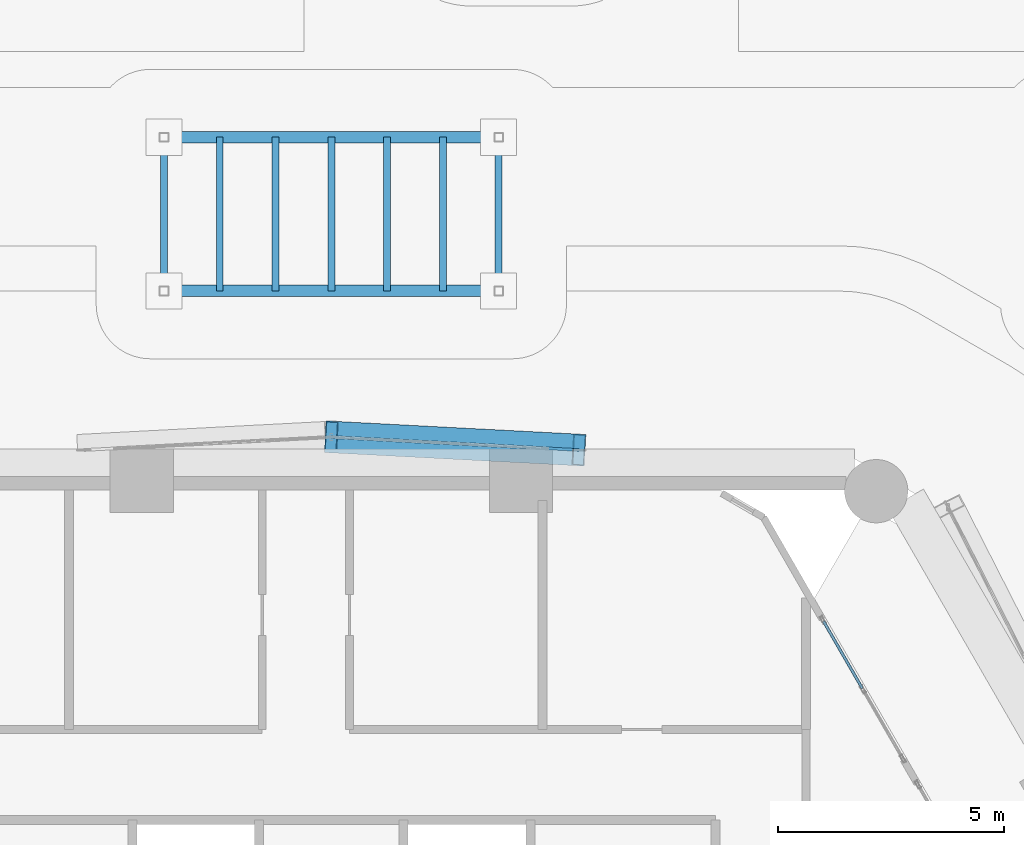
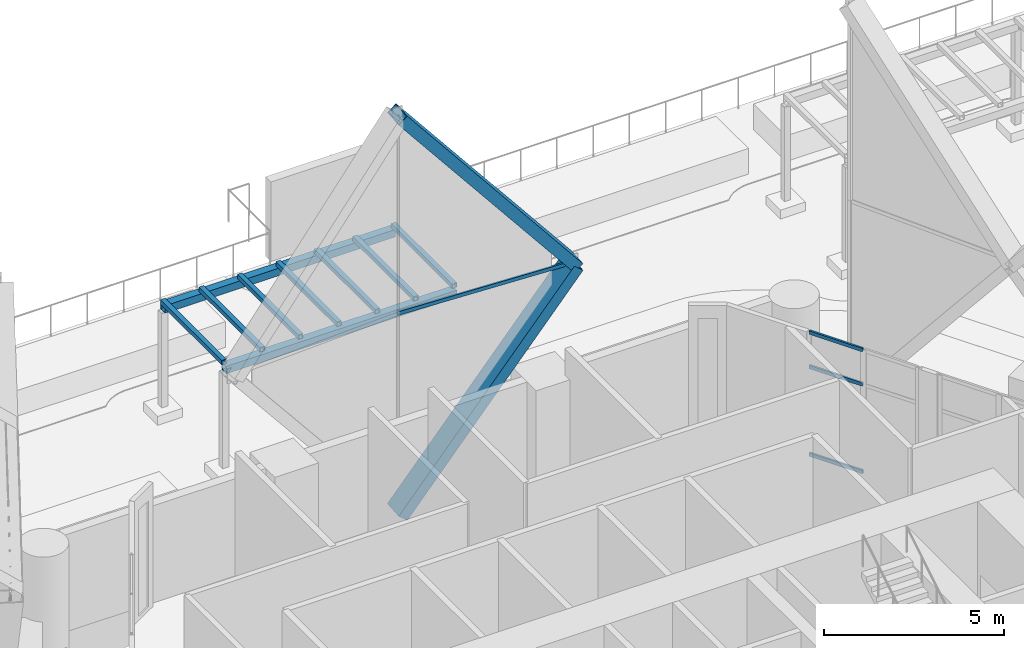
# One storey, part 45 of 71: 13 members, 2 beams, 2 elements without a shape of their own.
"""IFC4 building model written with IfcOpenShell, lengths in metres."""

from ifc_helpers import new_model, si_unit, direction, frame, origin, origin_2d, place, context, subcontext, project, spatial, hollow_rectangle, extrude, material, material_profile, profile_set, type_object, element, aggregate, save


model = new_model("IFC4")

# Units and contexts
model_context = context("Model", 3, precision=1e-05, world=origin(), true_north=direction((0.0, 1.0)))
body_context = subcontext(model_context, "Body", "Model", "MODEL_VIEW")
ifc_project = project(units=[si_unit("LENGTHUNIT", "METRE"), si_unit("AREAUNIT", "SQUARE_METRE"), si_unit("VOLUMEUNIT", "CUBIC_METRE"), si_unit("PLANEANGLEUNIT", "RADIAN"), si_unit("MASSUNIT", "GRAM", prefix="KILO")], contexts=[model_context])

# Site, building, storey
site_placement = place(None, origin())
site = spatial("IfcSite", under=ifc_project, at=site_placement, CompositionType="ELEMENT")
building_placement = place(site_placement, origin())
building = spatial("IfcBuilding", under=site, at=building_placement, Name="Ostrander Bayou Hotel Tower", CompositionType="ELEMENT")
storey_placement = place(building_placement, frame((0.0, 0.0, 10.0)))
storey = spatial("IfcBuildingStorey", under=building, at=storey_placement, Name="L02", CompositionType="ELEMENT", Elevation=10.0)

# Curtain wall, member
ifc_material_1 = material(Name="Aluminium and clear glass", Category="aluminium")
curtain_wall_type_1 = type_object("IfcCurtainWallType", Name="CW-LAT lattice glazing", PredefinedType="NOTDEFINED", material=ifc_material_1)
curtain_wall_1_placement = place(storey_placement, origin())
curtain_wall_1 = element("IfcCurtainWall", 1, at=curtain_wall_1_placement, inside=storey, type_object=curtain_wall_type_1, Name="CW-LAT L02 N 2", PredefinedType="NOTDEFINED")
ifc_material_2 = material(Name="Aluminium", Category="aluminium")
ifc_material_profile_1 = material_profile(ifc_material_2, hollow_rectangle(XDim=0.06005859375, YDim=0.1201171875, WallThickness=0.00390625, at=origin_2d()))
ifc_profile_set_1 = profile_set([ifc_material_profile_1], Name="Aluminium")
member_type_1 = type_object("IfcMemberType", Name="CW-LA transom 60 x 120 mm", PredefinedType="USERDEFINED", material=ifc_profile_set_1)
member_1_placement = place(storey_placement, frame((0.0, 22.070068359375, 6.14990234375), z_axis=(0.998630347454, -0.052320446705, 0.0), x_axis=(0.052320446705, 0.998630347454, 0.0)))
member_1 = element("IfcMember", 2, at=member_1_placement, type_object=member_type_1, Name="CW-LAT transom 3", ObjectType="TRANSOM", PredefinedType="USERDEFINED", context=body_context, shape_type="SweptSolid", body=[
    extrude(hollow_rectangle(XDim=0.06005859375, YDim=0.1201171875, WallThickness=0.00390625, at=origin_2d()), origin(), (0.0, 0.0, 1.0), 5.48291015625),
])
aggregate(curtain_wall_1, [member_1])

# Curtain wall, members
ifc_material_3 = material(Name="Aluminium and clear glass", Category="aluminium")
curtain_wall_type_2 = type_object("IfcCurtainWallType", Name="CW-SKY amenity glass wall", PredefinedType="NOTDEFINED", material=ifc_material_3)
curtain_wall_2_placement = place(storey_placement, origin())
curtain_wall_2 = element("IfcCurtainWall", 3, at=curtain_wall_2_placement, inside=storey, type_object=curtain_wall_type_2, Name="CW-SKY L02 NE 5", PredefinedType="NOTDEFINED")
ifc_material_4 = material(Name="Aluminium", Category="aluminium")
ifc_material_profile_2 = material_profile(ifc_material_4, hollow_rectangle(XDim=0.06005859375, YDim=0.1201171875, WallThickness=0.00390625, at=origin_2d()))
ifc_profile_set_2 = profile_set([ifc_material_profile_2], Name="Aluminium")
member_type_2 = type_object("IfcMemberType", Name="CW-SK transom 60 x 120 mm", PredefinedType="USERDEFINED", material=ifc_profile_set_2)
member_2_placement = place(storey_placement, frame((11.741455078125, 16.51318359375, 0.030029296875), z_axis=(-0.499977863513, 0.866038183914, 0.0), x_axis=(-0.866038183914, -0.499977863513, 0.0)))
member_2 = element("IfcMember", 4, at=member_2_placement, type_object=member_type_2, Name="CW-SKY transom 2.1", ObjectType="TRANSOM", PredefinedType="USERDEFINED", context=body_context, shape_type="SweptSolid", body=[
    extrude(hollow_rectangle(XDim=0.06005859375, YDim=0.1201171875, WallThickness=0.00390625, at=origin_2d()), origin(), (0.0, 0.0, 1.0), 1.7099609375),
])
member_3_placement = place(storey_placement, frame((11.741455078125, 16.51318359375, 3.0), z_axis=(-0.499977863513, 0.866038183914, 0.0), x_axis=(-0.866038183914, -0.499977863513, 0.0)))
member_3 = element("IfcMember", 5, at=member_3_placement, type_object=member_type_2, Name="CW-SKY transom 2.2", ObjectType="TRANSOM", PredefinedType="USERDEFINED", context=body_context, shape_type="SweptSolid", body=[
    extrude(hollow_rectangle(XDim=0.06005859375, YDim=0.1201171875, WallThickness=0.00390625, at=origin_2d()), origin(), (0.0, 0.0, 1.0), 1.7099609375),
])
member_4_placement = place(storey_placement, frame((11.741455078125, 16.51318359375, 4.169921875), z_axis=(-0.499977863513, 0.866038183914, 0.0), x_axis=(-0.866038183914, -0.499977863513, 0.0)))
member_4 = element("IfcMember", 6, at=member_4_placement, type_object=member_type_2, Name="CW-SKY transom 2.3", ObjectType="TRANSOM", PredefinedType="USERDEFINED", context=body_context, shape_type="SweptSolid", body=[
    extrude(hollow_rectangle(XDim=0.06005859375, YDim=0.1201171875, WallThickness=0.00390625, at=origin_2d()), origin(), (0.0, 0.0, 1.0), 1.7099609375),
])
aggregate(curtain_wall_2, [member_2, member_3, member_4])

# Members
ifc_material_5 = material(Name="Steel ASTM A572 Gr 50", Category="steel")
ifc_material_profile_3 = material_profile(ifc_material_5, hollow_rectangle(XDim=0.699951171875, YDim=0.35009765625, WallThickness=0.02490234375, at=origin_2d()))
ifc_profile_set_3 = profile_set([ifc_material_profile_3], Name="Steel ASTM A572 Gr 50")
member_type_3 = type_object("IfcMemberType", Name="LT1 lattice member box 700 x 350 x 25 mm", PredefinedType="BRACE", material=ifc_profile_set_3)
for number, where, z_axis, x_axis, name in (
    (7, (5.475341796875, 21.783203125, 6.14990234375), (-0.629623537067, 0.032987365945, -0.77619973928), (-0.052320446705, -0.998630347454, 0.0), "LT1 L02 N 1"),
    (8, (5.475341796875, 21.783203125, 6.14990234375), (-0.629623537067, 0.032987365945, 0.77619973928), (-0.052320446705, -0.998630347454, 0.0), "LT1 L02 N 2"),
):
    element("IfcMember", number, at=place(storey_placement, frame(where, z_axis=z_axis, x_axis=x_axis)), inside=storey, type_object=member_type_3, Name=name, PredefinedType="BRACE", context=body_context, shape_type="SweptSolid", body=[
        extrude(hollow_rectangle(XDim=0.699951171875, YDim=0.35009765625, WallThickness=0.02490234375, at=origin_2d()), origin(), (0.0, 0.0, 1.0), 8.6962890625),
    ])

# Beams
ifc_material_6 = material(Name="Steel ASTM A500 Gr C", Category="steel")
ifc_material_profile_4 = material_profile(ifc_material_6, hollow_rectangle(XDim=0.25390625, YDim=0.25390625, WallThickness=0.01171875, at=origin_2d()))
ifc_profile_set_4 = profile_set([ifc_material_profile_4], Name="Steel ASTM A500 Gr C")
beam_type = type_object("IfcBeamType", Name="PG2 pergola beam HSS10x10x1/2", PredefinedType="BEAM", material=ifc_profile_set_4)
for number, where, z_axis, x_axis, name in (
    (9, (-3.699951171875, 25.300048828125, 3.626953125), (1.0, 0.0, 0.0), (0.0, 1.0, 0.0), "PG2 pergola 2 beam 1"),
    (10, (-3.699951171875, 28.699951171875, 3.626953125), (1.0, 0.0, 0.0), (0.0, 1.0, 0.0), "PG2 pergola 2 beam 2"),
):
    element("IfcBeam", number, at=place(storey_placement, frame(where, z_axis=z_axis, x_axis=x_axis)), inside=storey, type_object=beam_type, Name=name, PredefinedType="BEAM", context=body_context, shape_type="SweptSolid", body=[
        extrude(hollow_rectangle(XDim=0.25390625, YDim=0.25390625, WallThickness=0.01171875, at=origin_2d()), origin(), (0.0, 0.0, 1.0), 7.39990234375),
    ])

# Members
ifc_material_7 = material(Name="Steel ASTM A500 Gr C", Category="steel")
ifc_material_profile_5 = material_profile(ifc_material_7, hollow_rectangle(XDim=0.15234375, YDim=0.15234375, WallThickness=0.0087890625, at=origin_2d()))
ifc_profile_set_5 = profile_set([ifc_material_profile_5], Name="Steel ASTM A500 Gr C")
member_type_4 = type_object("IfcMemberType", Name="PG3 pergola rafter HSS6x6x3/8", PredefinedType="RAFTER", material=ifc_profile_set_5)
for number, where, z_axis, x_axis, name in (
    (11, (-3.699951171875, 25.300048828125, 3.830078125), (0.0, 1.0, 0.0), (-1.0, 0.0, 0.0), "PG3 pergola 2 rafter 1"),
    (12, (-2.466796875, 25.300048828125, 3.830078125), (0.0, 1.0, 0.0), (-1.0, 0.0, 0.0), "PG3 pergola 2 rafter 2"),
    (13, (-1.2333984375, 25.300048828125, 3.830078125), (0.0, 1.0, 0.0), (-1.0, 0.0, 0.0), "PG3 pergola 2 rafter 3"),
    (14, (0.0, 25.300048828125, 3.830078125), (0.0, 1.0, 0.0), (-1.0, 0.0, 0.0), "PG3 pergola 2 rafter 4"),
    (15, (1.2333984375, 25.300048828125, 3.830078125), (0.0, 1.0, 0.0), (-1.0, 0.0, 0.0), "PG3 pergola 2 rafter 5"),
    (16, (2.466796875, 25.300048828125, 3.830078125), (0.0, 1.0, 0.0), (-1.0, 0.0, 0.0), "PG3 pergola 2 rafter 6"),
    (17, (3.699951171875, 25.300048828125, 3.830078125), (0.0, 1.0, 0.0), (-1.0, 0.0, 0.0), "PG3 pergola 2 rafter 7"),
):
    element("IfcMember", number, at=place(storey_placement, frame(where, z_axis=z_axis, x_axis=x_axis)), inside=storey, type_object=member_type_4, Name=name, PredefinedType="RAFTER", context=body_context, shape_type="SweptSolid", body=[
        extrude(hollow_rectangle(XDim=0.15234375, YDim=0.15234375, WallThickness=0.0087890625, at=origin_2d()), origin(), (0.0, 0.0, 1.0), 3.39990234375),
    ])

save(model, "model.ifc")
